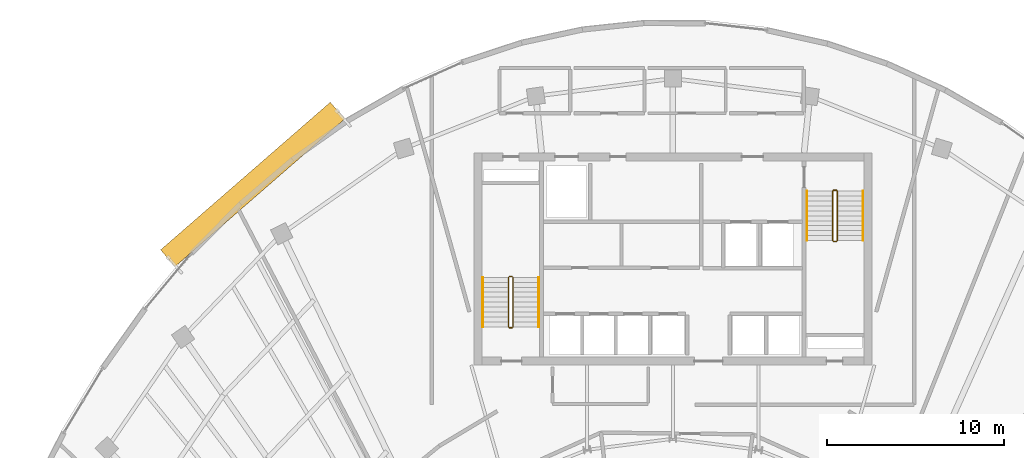
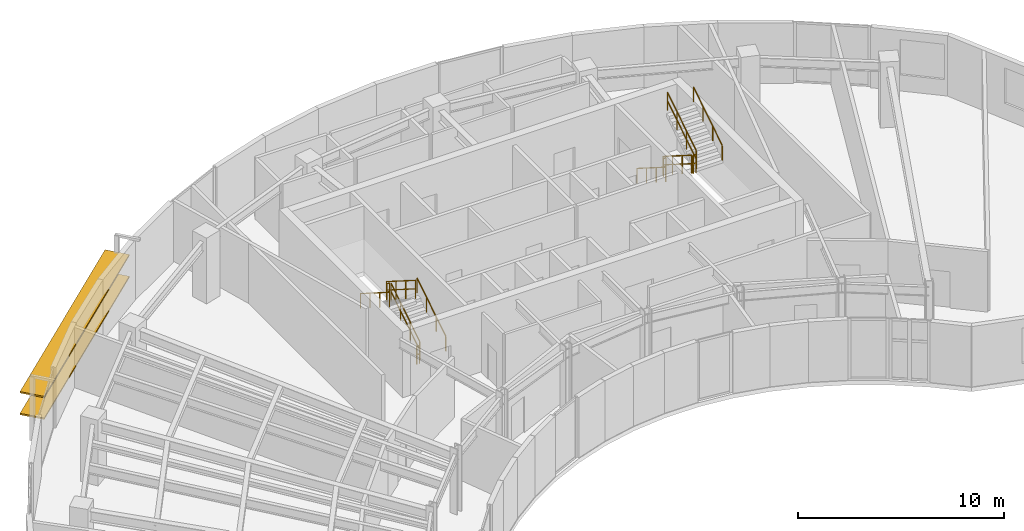
# One storey, part 12 of 12: 12 railings, 2 shading devices.
"""IFC4 building model written with IfcOpenShell, lengths in metres."""

from ifc_helpers import new_model, si_unit, direction, frame, origin, origin_2d, place, context, subcontext, project, spatial, rectangle, extrude, source, transform, mapped, material, material_profile, profile_set, type_object, element, save


model = new_model("IFC4")

# Units and contexts
model_context = context("Model", 3, precision=1e-05, world=origin(), true_north=direction((0.0, 1.0)))
body_context = subcontext(model_context, "Body", "Model", "MODEL_VIEW")
ifc_project = project(units=[si_unit("LENGTHUNIT", "METRE"), si_unit("AREAUNIT", "SQUARE_METRE"), si_unit("VOLUMEUNIT", "CUBIC_METRE"), si_unit("PLANEANGLEUNIT", "RADIAN"), si_unit("MASSUNIT", "GRAM", prefix="KILO")], contexts=[model_context])

# Site, building, storey
site_placement = place(None, origin())
site = spatial("IfcSite", under=ifc_project, at=site_placement, CompositionType="ELEMENT")
building_placement = place(site_placement, origin())
building = spatial("IfcBuilding", under=site, at=building_placement, Name="Breltana Convention Tower", CompositionType="ELEMENT")
storey_placement = place(building_placement, frame((0.0, 0.0, 250.800048828125)))
storey = spatial("IfcBuildingStorey", under=building, at=storey_placement, Name="L61", CompositionType="ELEMENT", Elevation=250.800048828125)

# Railings
ifc_material_1 = material(Name="Steel S275 Painted", Category="steel")
railing_type_1 = type_object("IfcRailingType", Name="RL-STAIR-GUARD-1100", PredefinedType="GUARDRAIL", material=ifc_material_1)
railing_1_placement = place(storey_placement, frame((38.9599609375, 62.360107421875, 0.17724609375)))
element("IfcRailing", 1, at=railing_1_placement, inside=storey, type_object=railing_type_1, Name="L61 ST-1 stair guard 1", PredefinedType="GUARDRAIL", context=body_context, shape_type="SweptSolid", body=[
    extrude(rectangle(XDim=0.048095703125, YDim=0.048095703125, at=origin_2d()), frame((0.0, 0.0, 1.076171875), z_axis=(0.0, 0.844887892834, 0.53494340686), x_axis=(-1.0, 0.0, 0.0)), (0.0, 0.0, 1.0), 3.313720703125),
    extrude(rectangle(XDim=0.048095703125, YDim=0.048095703125, at=origin_2d()), frame((0.0, 0.0, 0.572021484375), z_axis=(0.0, 0.844887892834, 0.53494340686), x_axis=(-1.0, 0.0, 0.0)), (0.0, 0.0, 1.0), 3.313720703125),
    extrude(rectangle(XDim=0.0419921875, YDim=0.0419921875, at=origin_2d()), origin(), (0.0, 0.0, 1.0), 1.052001953125),
    extrude(rectangle(XDim=0.0419921875, YDim=0.0419921875, at=origin_2d()), frame((0.0, 0.933349609375, 0.5908203125)), (0.0, 0.0, 1.0), 1.052001953125),
    extrude(rectangle(XDim=0.0419921875, YDim=0.0419921875, at=origin_2d()), frame((0.0, 1.866455078125, 1.181884765625)), (0.0, 0.0, 1.0), 1.052001953125),
    extrude(rectangle(XDim=0.0419921875, YDim=0.0419921875, at=origin_2d()), frame((0.0, 2.7998046875, 1.772705078125)), (0.0, 0.0, 1.0), 1.052001953125),
])
railing_2_placement = place(storey_placement, frame((38.909912109375, 65.2099609375, 1.949951171875)))
element("IfcRailing", 2, at=railing_2_placement, inside=storey, type_object=railing_type_1, Name="L61 ST-1 stair guard 2", PredefinedType="GUARDRAIL", context=body_context, shape_type="SweptSolid", body=[
    extrude(rectangle(XDim=0.048095703125, YDim=0.048095703125, at=origin_2d()), frame((0.0, 0.0, 1.076171875), z_axis=(-1.0, 0.0, 0.0), x_axis=(0.0, -1.0, 0.0)), (0.0, 0.0, 1.0), 0.14990234375),
    extrude(rectangle(XDim=0.048095703125, YDim=0.048095703125, at=origin_2d()), frame((0.0, 0.0, 0.572021484375), z_axis=(-1.0, 0.0, 0.0), x_axis=(0.0, -1.0, 0.0)), (0.0, 0.0, 1.0), 0.14990234375),
    extrude(rectangle(XDim=0.0419921875, YDim=0.0419921875, at=origin_2d()), origin(), (0.0, 0.0, 1.0), 1.052001953125),
    extrude(rectangle(XDim=0.0419921875, YDim=0.0419921875, at=origin_2d()), frame((-0.14990234375, 0.0, 0.0)), (0.0, 0.0, 1.0), 1.052001953125),
])
railing_3_placement = place(storey_placement, frame((38.7099609375, 65.159912109375, 2.127197265625)))
element("IfcRailing", 3, at=railing_3_placement, inside=storey, type_object=railing_type_1, Name="L61 ST-1 stair guard 3", PredefinedType="GUARDRAIL", context=body_context, shape_type="SweptSolid", body=[
    extrude(rectangle(XDim=0.048095703125, YDim=0.048095703125, at=origin_2d()), frame((0.0, 0.0, 1.076171875), z_axis=(0.0, -0.844887892834, 0.53494340686), x_axis=(1.0, 0.0, 0.0)), (0.0, 0.0, 1.0), 3.313720703125),
    extrude(rectangle(XDim=0.048095703125, YDim=0.048095703125, at=origin_2d()), frame((0.0, 0.0, 0.572021484375), z_axis=(0.0, -0.844887892834, 0.53494340686), x_axis=(1.0, 0.0, 0.0)), (0.0, 0.0, 1.0), 3.313720703125),
    extrude(rectangle(XDim=0.0419921875, YDim=0.0419921875, at=origin_2d()), origin(), (0.0, 0.0, 1.0), 1.052001953125),
    extrude(rectangle(XDim=0.0419921875, YDim=0.0419921875, at=origin_2d()), frame((0.0, -0.933349609375, 0.5908203125)), (0.0, 0.0, 1.0), 1.052001953125),
    extrude(rectangle(XDim=0.0419921875, YDim=0.0419921875, at=origin_2d()), frame((0.0, -1.866455078125, 1.181884765625)), (0.0, 0.0, 1.0), 1.052001953125),
    extrude(rectangle(XDim=0.0419921875, YDim=0.0419921875, at=origin_2d()), frame((0.0, -2.7998046875, 1.772705078125)), (0.0, 0.0, 1.0), 1.052001953125),
])
railing_4_placement = place(storey_placement, frame((38.909912109375, 62.31005859375, 0.0)))
element("IfcRailing", 4, at=railing_4_placement, inside=storey, type_object=railing_type_1, Name="L61 ST-1 stair guard 4", PredefinedType="GUARDRAIL", context=body_context, shape_type="SweptSolid", body=[
    extrude(rectangle(XDim=0.048095703125, YDim=0.048095703125, at=origin_2d()), frame((0.0, 0.0, 1.076171875), z_axis=(-1.0, 0.0, 0.0), x_axis=(0.0, -1.0, 0.0)), (0.0, 0.0, 1.0), 0.14990234375),
    extrude(rectangle(XDim=0.048095703125, YDim=0.048095703125, at=origin_2d()), frame((0.0, 0.0, 0.572021484375), z_axis=(-1.0, 0.0, 0.0), x_axis=(0.0, -1.0, 0.0)), (0.0, 0.0, 1.0), 0.14990234375),
    extrude(rectangle(XDim=0.0419921875, YDim=0.0419921875, at=origin_2d()), origin(), (0.0, 0.0, 1.0), 1.052001953125),
    extrude(rectangle(XDim=0.0419921875, YDim=0.0419921875, at=origin_2d()), frame((-0.14990234375, 0.0, 0.0)), (0.0, 0.0, 1.0), 1.052001953125),
])
railing_5_placement = place(storey_placement, frame((57.0400390625, 70.0400390625, 0.17724609375)))
element("IfcRailing", 5, at=railing_5_placement, inside=storey, type_object=railing_type_1, Name="L61 ST-2 stair guard 1", PredefinedType="GUARDRAIL", context=body_context, shape_type="SweptSolid", body=[
    extrude(rectangle(XDim=0.048095703125, YDim=0.048095703125, at=origin_2d()), frame((0.0, 0.0, 1.076171875), z_axis=(0.0, -0.844908973607, 0.534910110503), x_axis=(1.0, 0.0, 0.0)), (0.0, 0.0, 1.0), 3.31396484375),
    extrude(rectangle(XDim=0.048095703125, YDim=0.048095703125, at=origin_2d()), frame((0.0, 0.0, 0.572021484375), z_axis=(0.0, -0.844908973607, 0.534910110503), x_axis=(1.0, 0.0, 0.0)), (0.0, 0.0, 1.0), 3.31396484375),
    extrude(rectangle(XDim=0.0419921875, YDim=0.0419921875, at=origin_2d()), origin(), (0.0, 0.0, 1.0), 1.052001953125),
    extrude(rectangle(XDim=0.0419921875, YDim=0.0419921875, at=origin_2d()), frame((0.0, -0.933349609375, 0.5908203125)), (0.0, 0.0, 1.0), 1.052001953125),
    extrude(rectangle(XDim=0.0419921875, YDim=0.0419921875, at=origin_2d()), frame((0.0, -1.86669921875, 1.181884765625)), (0.0, 0.0, 1.0), 1.052001953125),
    extrude(rectangle(XDim=0.0419921875, YDim=0.0419921875, at=origin_2d()), frame((0.0, -2.800048828125, 1.772705078125)), (0.0, 0.0, 1.0), 1.052001953125),
])
railing_6_placement = place(storey_placement, frame((57.090087890625, 67.18994140625, 1.949951171875)))
element("IfcRailing", 6, at=railing_6_placement, inside=storey, type_object=railing_type_1, Name="L61 ST-2 stair guard 2", PredefinedType="GUARDRAIL", context=body_context, shape_type="SweptSolid", body=[
    extrude(rectangle(XDim=0.048095703125, YDim=0.048095703125, at=origin_2d()), frame((0.0, 0.0, 1.076171875), z_axis=(1.0, 0.0, 0.0), x_axis=(0.0, 1.0, 0.0)), (0.0, 0.0, 1.0), 0.14990234375),
    extrude(rectangle(XDim=0.048095703125, YDim=0.048095703125, at=origin_2d()), frame((0.0, 0.0, 0.572021484375), z_axis=(1.0, 0.0, 0.0), x_axis=(0.0, 1.0, 0.0)), (0.0, 0.0, 1.0), 0.14990234375),
    extrude(rectangle(XDim=0.0419921875, YDim=0.0419921875, at=origin_2d()), origin(), (0.0, 0.0, 1.0), 1.052001953125),
    extrude(rectangle(XDim=0.0419921875, YDim=0.0419921875, at=origin_2d()), frame((0.14990234375, 0.0, 0.0)), (0.0, 0.0, 1.0), 1.052001953125),
])
railing_7_placement = place(storey_placement, frame((57.2900390625, 67.239990234375, 2.127197265625)))
element("IfcRailing", 7, at=railing_7_placement, inside=storey, type_object=railing_type_1, Name="L61 ST-2 stair guard 3", PredefinedType="GUARDRAIL", context=body_context, shape_type="SweptSolid", body=[
    extrude(rectangle(XDim=0.048095703125, YDim=0.048095703125, at=origin_2d()), frame((0.0, 0.0, 1.076171875), z_axis=(0.0, 0.844908973607, 0.534910110503), x_axis=(-1.0, 0.0, 0.0)), (0.0, 0.0, 1.0), 3.31396484375),
    extrude(rectangle(XDim=0.048095703125, YDim=0.048095703125, at=origin_2d()), frame((0.0, 0.0, 0.572021484375), z_axis=(0.0, 0.844908973607, 0.534910110503), x_axis=(-1.0, 0.0, 0.0)), (0.0, 0.0, 1.0), 3.31396484375),
    extrude(rectangle(XDim=0.0419921875, YDim=0.0419921875, at=origin_2d()), origin(), (0.0, 0.0, 1.0), 1.052001953125),
    extrude(rectangle(XDim=0.0419921875, YDim=0.0419921875, at=origin_2d()), frame((0.0, 0.933349609375, 0.5908203125)), (0.0, 0.0, 1.0), 1.052001953125),
    extrude(rectangle(XDim=0.0419921875, YDim=0.0419921875, at=origin_2d()), frame((0.0, 1.86669921875, 1.181884765625)), (0.0, 0.0, 1.0), 1.052001953125),
    extrude(rectangle(XDim=0.0419921875, YDim=0.0419921875, at=origin_2d()), frame((0.0, 2.800048828125, 1.772705078125)), (0.0, 0.0, 1.0), 1.052001953125),
])
railing_8_placement = place(storey_placement, frame((57.090087890625, 70.090087890625, 0.0)))
element("IfcRailing", 8, at=railing_8_placement, inside=storey, type_object=railing_type_1, Name="L61 ST-2 stair guard 4", PredefinedType="GUARDRAIL", context=body_context, shape_type="SweptSolid", body=[
    extrude(rectangle(XDim=0.048095703125, YDim=0.048095703125, at=origin_2d()), frame((0.0, 0.0, 1.076171875), z_axis=(1.0, 0.0, 0.0), x_axis=(0.0, 1.0, 0.0)), (0.0, 0.0, 1.0), 0.14990234375),
    extrude(rectangle(XDim=0.048095703125, YDim=0.048095703125, at=origin_2d()), frame((0.0, 0.0, 0.572021484375), z_axis=(1.0, 0.0, 0.0), x_axis=(0.0, 1.0, 0.0)), (0.0, 0.0, 1.0), 0.14990234375),
    extrude(rectangle(XDim=0.0419921875, YDim=0.0419921875, at=origin_2d()), origin(), (0.0, 0.0, 1.0), 1.052001953125),
    extrude(rectangle(XDim=0.0419921875, YDim=0.0419921875, at=origin_2d()), frame((0.14990234375, 0.0, 0.0)), (0.0, 0.0, 1.0), 1.052001953125),
])
ifc_material_2 = material(Name="Stainless Steel 316L", Category="steel")
railing_type_2 = type_object("IfcRailingType", Name="RL-STAIR-HANDRAIL-900", PredefinedType="HANDRAIL", material=ifc_material_2)
railing_9_placement = place(storey_placement, frame((40.419921875, 62.360107421875, 0.17724609375)))
element("IfcRailing", 9, at=railing_9_placement, inside=storey, type_object=railing_type_2, Name="L61 ST-1 stair handrail 1", PredefinedType="HANDRAIL", context=body_context, shape_type="SweptSolid", body=[
    extrude(rectangle(XDim=0.048095703125, YDim=0.048095703125, at=origin_2d()), frame((0.0, 0.0, 0.8759765625), z_axis=(0.0, 0.844887892834, 0.53494340686), x_axis=(-1.0, 0.0, 0.0)), (0.0, 0.0, 1.0), 3.313720703125),
    extrude(rectangle(XDim=0.0419921875, YDim=0.0419921875, at=origin_2d()), origin(), (0.0, 0.0, 1.0), 0.851806640625),
    extrude(rectangle(XDim=0.0419921875, YDim=0.0419921875, at=origin_2d()), frame((0.0, 0.933349609375, 0.5908203125)), (0.0, 0.0, 1.0), 0.851806640625),
    extrude(rectangle(XDim=0.0419921875, YDim=0.0419921875, at=origin_2d()), frame((0.0, 1.866455078125, 1.181884765625)), (0.0, 0.0, 1.0), 0.851806640625),
    extrude(rectangle(XDim=0.0419921875, YDim=0.0419921875, at=origin_2d()), frame((0.0, 2.7998046875, 1.772705078125)), (0.0, 0.0, 1.0), 0.851806640625),
])
railing_10_placement = place(storey_placement, frame((37.25, 65.159912109375, 2.127197265625)))
element("IfcRailing", 10, at=railing_10_placement, inside=storey, type_object=railing_type_2, Name="L61 ST-1 stair handrail 2", PredefinedType="HANDRAIL", context=body_context, shape_type="SweptSolid", body=[
    extrude(rectangle(XDim=0.048095703125, YDim=0.048095703125, at=origin_2d()), frame((0.0, 0.0, 0.8759765625), z_axis=(0.0, -0.844887892834, 0.53494340686), x_axis=(1.0, 0.0, 0.0)), (0.0, 0.0, 1.0), 3.313720703125),
    extrude(rectangle(XDim=0.0419921875, YDim=0.0419921875, at=origin_2d()), origin(), (0.0, 0.0, 1.0), 0.851806640625),
    extrude(rectangle(XDim=0.0419921875, YDim=0.0419921875, at=origin_2d()), frame((0.0, -0.933349609375, 0.5908203125)), (0.0, 0.0, 1.0), 0.851806640625),
    extrude(rectangle(XDim=0.0419921875, YDim=0.0419921875, at=origin_2d()), frame((0.0, -1.866455078125, 1.181884765625)), (0.0, 0.0, 1.0), 0.851806640625),
    extrude(rectangle(XDim=0.0419921875, YDim=0.0419921875, at=origin_2d()), frame((0.0, -2.7998046875, 1.772705078125)), (0.0, 0.0, 1.0), 0.851806640625),
])
railing_11_placement = place(storey_placement, frame((55.580078125, 70.0400390625, 0.17724609375)))
element("IfcRailing", 11, at=railing_11_placement, inside=storey, type_object=railing_type_2, Name="L61 ST-2 stair handrail 1", PredefinedType="HANDRAIL", context=body_context, shape_type="SweptSolid", body=[
    extrude(rectangle(XDim=0.048095703125, YDim=0.048095703125, at=origin_2d()), frame((0.0, 0.0, 0.8759765625), z_axis=(0.0, -0.844908973607, 0.534910110503), x_axis=(1.0, 0.0, 0.0)), (0.0, 0.0, 1.0), 3.31396484375),
    extrude(rectangle(XDim=0.0419921875, YDim=0.0419921875, at=origin_2d()), origin(), (0.0, 0.0, 1.0), 0.851806640625),
    extrude(rectangle(XDim=0.0419921875, YDim=0.0419921875, at=origin_2d()), frame((0.0, -0.933349609375, 0.5908203125)), (0.0, 0.0, 1.0), 0.851806640625),
    extrude(rectangle(XDim=0.0419921875, YDim=0.0419921875, at=origin_2d()), frame((0.0, -1.86669921875, 1.181884765625)), (0.0, 0.0, 1.0), 0.851806640625),
    extrude(rectangle(XDim=0.0419921875, YDim=0.0419921875, at=origin_2d()), frame((0.0, -2.800048828125, 1.772705078125)), (0.0, 0.0, 1.0), 0.851806640625),
])
railing_12_placement = place(storey_placement, frame((58.75, 67.239990234375, 2.127197265625)))
element("IfcRailing", 12, at=railing_12_placement, inside=storey, type_object=railing_type_2, Name="L61 ST-2 stair handrail 2", PredefinedType="HANDRAIL", context=body_context, shape_type="SweptSolid", body=[
    extrude(rectangle(XDim=0.048095703125, YDim=0.048095703125, at=origin_2d()), frame((0.0, 0.0, 0.8759765625), z_axis=(0.0, 0.844908973607, 0.534910110503), x_axis=(-1.0, 0.0, 0.0)), (0.0, 0.0, 1.0), 3.31396484375),
    extrude(rectangle(XDim=0.0419921875, YDim=0.0419921875, at=origin_2d()), origin(), (0.0, 0.0, 1.0), 0.851806640625),
    extrude(rectangle(XDim=0.0419921875, YDim=0.0419921875, at=origin_2d()), frame((0.0, 0.933349609375, 0.5908203125)), (0.0, 0.0, 1.0), 0.851806640625),
    extrude(rectangle(XDim=0.0419921875, YDim=0.0419921875, at=origin_2d()), frame((0.0, 1.86669921875, 1.181884765625)), (0.0, 0.0, 1.0), 0.851806640625),
    extrude(rectangle(XDim=0.0419921875, YDim=0.0419921875, at=origin_2d()), frame((0.0, 2.800048828125, 1.772705078125)), (0.0, 0.0, 1.0), 0.851806640625),
])

# Shading devices
ifc_material_3 = material(Name="Limestone Warm Buff Honed", Category="masonry")
ifc_material_profile = material_profile(ifc_material_3, rectangle(XDim=1.25, YDim=0.090087890625, at=origin_2d()), Name="STN-LVR-1250X90")
ifc_profile_set = profile_set([ifc_material_profile], Name="Limestone Warm Buff Honed")
shading_device_type = type_object("IfcShadingDeviceType", Name="SHD-OUTER-SKIN-LIMESTONE-1250", PredefinedType="JALOUSIE", material=ifc_profile_set)
shared_shape = source(origin(), body_context, "Body", "SweptSolid", [
    extrude(rectangle(XDim=1.25, YDim=0.090087890625, at=origin_2d()), origin(), (0.0, 0.0, 1.0), 12.716064453125),
])
for number, where, z_axis, x_axis, name in (
    (13, (19.4482421875, 66.243408203125, 1.288818359375), (0.754376904049, 0.656441533298, 0.0), (-0.656441533298, 0.754376904049, 0.0), "L61 outer skin warm limestone louvre 1.1"),
    (14, (19.4482421875, 66.243408203125, 2.57763671875), (0.754376904049, 0.656441533298, 0.0), (-0.656441533298, 0.754376904049, 0.0), "L61 outer skin warm limestone louvre 1.2"),
):
    element("IfcShadingDevice", number, at=place(storey_placement, frame(where, z_axis=z_axis, x_axis=x_axis)), inside=storey, type_object=shading_device_type, Name=name, PredefinedType="JALOUSIE", context=body_context, shape_type="MappedRepresentation", body=[
        mapped(shared_shape, transform((0.0, 0.0, 0.0), scale=1.0)),
    ])

save(model, "model.ifc")
